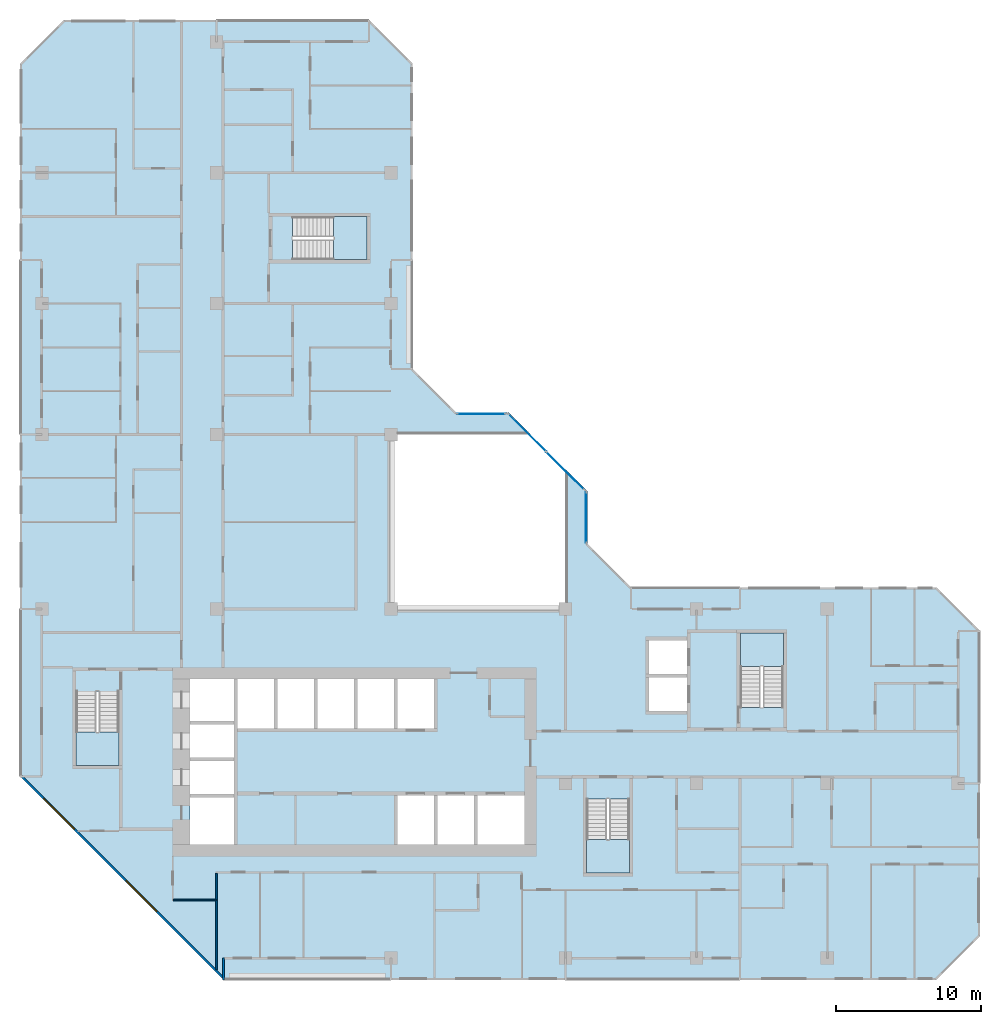
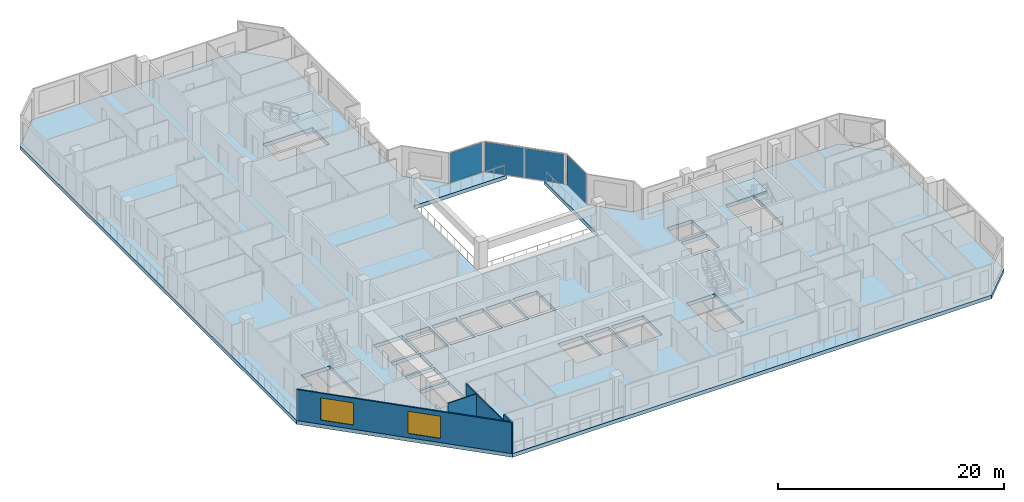
# One storey, part 3 of 14: 5 slabs, 4 plates, 4 walls, 2 windows, 2 openings, 7 elements without a shape of their own.
"""IFC4 building model written with IfcOpenShell, lengths in metres."""

from ifc_helpers import new_model, si_unit, direction, frame, frame_2d, origin, origin_2d, place, context, subcontext, project, spatial, polyline, rectangle, outline, extrude, material, layer, layer_set, type_object, element, fill, aggregate, save


model = new_model("IFC4")

# Units and contexts
model_context = context("Model", 3, precision=1e-05, world=origin(), true_north=direction((0.0, 1.0)))
body_context = subcontext(model_context, "Body", "Model", "MODEL_VIEW")
ifc_project = project(units=[si_unit("LENGTHUNIT", "METRE"), si_unit("AREAUNIT", "SQUARE_METRE"), si_unit("VOLUMEUNIT", "CUBIC_METRE"), si_unit("PLANEANGLEUNIT", "RADIAN"), si_unit("MASSUNIT", "GRAM", prefix="KILO")], contexts=[model_context])

# Site, building, storey
site_placement = place(None, origin())
site = spatial("IfcSite", under=ifc_project, at=site_placement, CompositionType="ELEMENT")
building_placement = place(site_placement, origin())
building = spatial("IfcBuilding", under=site, at=building_placement, Name="Chenar Terraces", CompositionType="ELEMENT")
storey_placement = place(building_placement, frame((0.0, 0.0, 168.64990234375)))
storey = spatial("IfcBuildingStorey", under=building, at=storey_placement, Name="L38", CompositionType="ELEMENT", Elevation=168.64990234375)

# Curtain wall, plate
ifc_material_1 = material(Name="Aluminium framed glazing", Category="aluminium")
ifc_layer_1 = layer(ifc_material_1, 0.14990234375)
ifc_layer_set_1 = layer_set([ifc_layer_1], Name="Aluminium framed glazing")
curtain_wall_type = type_object("IfcCurtainWallType", Name="Atrium mid-zone curtain wall", PredefinedType="NOTDEFINED", material=ifc_layer_set_1)
placement_1 = place(storey_placement, origin())
curtain_wall_1 = element("IfcCurtainWall", 1, at=placement_1, inside=storey, type_object=curtain_wall_type, Name="Atrium mid-zone curtain wall", PredefinedType="NOTDEFINED")
ifc_material_2 = material(Name="Low emissivity laminated glass, solar control coating", Category="glass")
ifc_layer_2 = layer(ifc_material_2, 0.031982421875)
ifc_layer_set_2 = layer_set([ifc_layer_2], Name="Low emissivity laminated glass, solar control coating")
plate_type = type_object("IfcPlateType", Name="Atrium mid-zone glazing panel 32", PredefinedType="CURTAIN_PANEL", material=ifc_layer_set_2)
plate_1_placement = place(storey_placement, frame((37.425048828125, 30.300048828125, 0.070068359375), z_axis=(0.0, 0.0, 1.0), x_axis=(0.0, 1.0, 0.0)))
plate_1 = element("IfcPlate", 2, at=plate_1_placement, type_object=plate_type, Name="CW7-1 panel 1.1", PredefinedType="CURTAIN_PANEL", context=body_context, shape_type="SweptSolid", body=[
    extrude(rectangle(XDim=3.4599609375, YDim=0.031982421875, at=origin_2d()), origin(), (0.0, 0.0, 1.0), 3.2099609375),
])
aggregate(curtain_wall_1, [plate_1])

# Curtain wall, plates
curtain_wall_2 = element("IfcCurtainWall", 3, at=placement_1, inside=storey, type_object=curtain_wall_type, Name="Atrium mid-zone curtain wall", PredefinedType="NOTDEFINED")
plate_2_placement = place(storey_placement, frame((35.978515625, 33.515380859375, 0.070068359375), z_axis=(0.0, 0.0, 1.0), x_axis=(-0.707106781187, 0.707106781187, 0.0)))
plate_2 = element("IfcPlate", 4, at=plate_2_placement, type_object=plate_type, Name="CW7-2 panel 1.1", PredefinedType="CURTAIN_PANEL", context=body_context, shape_type="SweptSolid", body=[
    extrude(rectangle(XDim=3.61328125, YDim=0.031982421875, at=origin_2d()), origin(), (0.0, 0.0, 1.0), 3.2099609375),
])
plate_3_placement = place(storey_placement, frame((33.3740234375, 36.119873046875, 0.070068359375), z_axis=(0.0, 0.0, 1.0), x_axis=(-0.707106781187, 0.707106781187, 0.0)))
plate_3 = element("IfcPlate", 5, at=plate_3_placement, type_object=plate_type, Name="CW7-2 panel 2.1", PredefinedType="CURTAIN_PANEL", context=body_context, shape_type="SweptSolid", body=[
    extrude(rectangle(XDim=3.61328125, YDim=0.031982421875, at=origin_2d()), origin(), (0.0, 0.0, 1.0), 3.2099609375),
])
aggregate(curtain_wall_2, [plate_2, plate_3])

# Curtain wall, plate
curtain_wall_3 = element("IfcCurtainWall", 6, at=placement_1, inside=storey, type_object=curtain_wall_type, Name="Atrium mid-zone curtain wall", PredefinedType="NOTDEFINED")
plate_4_placement = place(storey_placement, frame((30.199951171875, 37.425048828125, 0.070068359375), z_axis=(0.0, 0.0, 1.0), x_axis=(-1.0, 0.0, 0.0)))
plate_4 = element("IfcPlate", 7, at=plate_4_placement, type_object=plate_type, Name="CW7-3 panel 1.1", PredefinedType="CURTAIN_PANEL", context=body_context, shape_type="SweptSolid", body=[
    extrude(rectangle(XDim=3.260009765625, YDim=0.031982421875, at=origin_2d()), origin(), (0.0, 0.0, 1.0), 3.2099609375),
])
aggregate(curtain_wall_3, [plate_4])

# Stair, slab
ifc_material_3 = material(Name="Reinforced concrete C40/50", Category="concrete")
stair_type = type_object("IfcStairType", Name="Core stair 1400 half-turn", PredefinedType="HALF_TURN_STAIR", material=ifc_material_3)
stair_1 = element("IfcStair", 8, at=placement_1, inside=storey, type_object=stair_type, Name="L38 Stair 1", PredefinedType="HALF_TURN_STAIR")
ifc_material_4 = material(Name="Reinforced concrete C40/50", Category="concrete")
ifc_layer_3 = layer(ifc_material_4, 0.199951171875)
ifc_layer_set_3 = layer_set([ifc_layer_3], Name="Reinforced concrete C40/50")
slab_type_1 = type_object("IfcSlabType", Name="Core stair landing 200", PredefinedType="LANDING", material=ifc_layer_set_3)
placement_2 = place(storey_placement, frame((0.0, 0.0, 1.675048828125)))
slab_1 = element("IfcSlab", 9, at=placement_2, type_object=slab_type_1, Name="ST1 landing 1", PredefinedType="LANDING", context=body_context, shape_type="SweptSolid", body=[
    extrude(outline(polyline([(2.35009765625, 15.550048828125), (2.35009765625, 13.25), (5.300048828125, 13.25), (5.300048828125, 15.550048828125), (2.35009765625, 15.550048828125)])), origin(), (0.0, 0.0, 1.0), 0.199951171875),
])
aggregate(stair_1, [slab_1])

stair_2 = element("IfcStair", 10, at=placement_1, inside=storey, type_object=stair_type, Name="L38 Stair 2", PredefinedType="HALF_TURN_STAIR")
slab_2 = element("IfcSlab", 11, at=placement_2, type_object=slab_type_1, Name="ST2 landing 1", PredefinedType="LANDING", context=body_context, shape_type="SweptSolid", body=[
    extrude(outline(polyline([(37.449951171875, 8.14990234375), (37.449951171875, 5.85009765625), (40.39990234375, 5.85009765625), (40.39990234375, 8.14990234375), (37.449951171875, 8.14990234375)])), origin(), (0.0, 0.0, 1.0), 0.199951171875),
])
aggregate(stair_2, [slab_2])

stair_3 = element("IfcStair", 12, at=placement_1, inside=storey, type_object=stair_type, Name="L38 Stair 3", PredefinedType="HALF_TURN_STAIR")
slab_3 = element("IfcSlab", 13, at=placement_2, type_object=slab_type_1, Name="ST3 landing 1", PredefinedType="LANDING", context=body_context, shape_type="SweptSolid", body=[
    extrude(outline(polyline([(50.97509765625, 20.050048828125), (50.97509765625, 22.35009765625), (48.02490234375, 22.35009765625), (48.02490234375, 20.050048828125), (50.97509765625, 20.050048828125)])), origin(), (0.0, 0.0, 1.0), 0.199951171875),
])
aggregate(stair_3, [slab_3])

stair_4 = element("IfcStair", 14, at=placement_1, inside=storey, type_object=stair_type, Name="L38 Stair 4", PredefinedType="HALF_TURN_STAIR")
slab_4 = element("IfcSlab", 15, at=placement_2, type_object=slab_type_1, Name="ST4 landing 1", PredefinedType="LANDING", context=body_context, shape_type="SweptSolid", body=[
    extrude(outline(polyline([(20.050048828125, 48.02490234375), (22.35009765625, 48.02490234375), (22.35009765625, 50.97509765625), (20.050048828125, 50.97509765625), (20.050048828125, 48.02490234375)])), origin(), (0.0, 0.0, 1.0), 0.199951171875),
])
aggregate(stair_4, [slab_4])

# Slab
ifc_material_5 = material(Name="Concrete C40/50", Category="concrete")
ifc_layer_4 = layer(ifc_material_5, 0.39990234375)
ifc_layer_set_4 = layer_set([ifc_layer_4], Name="Concrete C40/50")
slab_type_2 = type_object("IfcSlabType", Name="Floor slab 400 Concrete C40/50", PredefinedType="FLOOR", material=ifc_layer_set_4)
slab_5_placement = place(storey_placement, frame((0.0, 0.0, -0.39990234375)))
element("IfcSlab", 16, at=slab_5_placement, inside=storey, type_object=slab_type_2, Name="Floor slab L38", PredefinedType="FLOOR", context=body_context, shape_type="SweptSolid", body=[
    extrude(outline(polyline([(64.5, 22.5), (64.5, 1.5), (61.5, -1.5), (12.5, -1.5), (-1.5, 12.5), (-1.5, 61.5), (1.5, 64.5), (22.5, 64.5), (25.5, 61.5), (25.5, 40.5), (28.5, 37.5), (32.10009765625, 37.5), (33.60009765625, 36.0), (24.0, 36.0), (24.0, 24.0), (36.0, 24.0), (36.0, 33.60009765625), (37.5, 32.10009765625), (37.5, 28.5), (40.5, 25.5), (61.5, 25.5), (64.5, 22.5)]), holes=[polyline([(13.199951171875, 11.050048828125), (10.199951171875, 11.050048828125), (10.199951171875, 7.800048828125), (13.199951171875, 7.800048828125), (13.199951171875, 11.050048828125)]), polyline([(13.199951171875, 13.550048828125), (10.199951171875, 13.550048828125), (10.199951171875, 11.300048828125), (13.199951171875, 11.300048828125), (13.199951171875, 13.550048828125)]), polyline([(13.199951171875, 16.050048828125), (10.199951171875, 16.050048828125), (10.199951171875, 13.800048828125), (13.199951171875, 13.800048828125), (13.199951171875, 16.050048828125)]), polyline([(2.35009765625, 13.25), (5.300048828125, 13.25), (5.300048828125, 18.35009765625), (2.35009765625, 18.35009765625), (2.35009765625, 13.25)]), polyline([(15.949951171875, 19.199951171875), (13.449951171875, 19.199951171875), (13.449951171875, 15.800048828125), (15.949951171875, 15.800048828125), (15.949951171875, 19.199951171875)]), polyline([(18.699951171875, 19.199951171875), (16.199951171875, 19.199951171875), (16.199951171875, 15.800048828125), (18.699951171875, 15.800048828125), (18.699951171875, 19.199951171875)]), polyline([(21.449951171875, 19.199951171875), (18.949951171875, 19.199951171875), (18.949951171875, 15.800048828125), (21.449951171875, 15.800048828125), (21.449951171875, 19.199951171875)]), polyline([(24.199951171875, 15.800048828125), (24.199951171875, 19.199951171875), (21.699951171875, 19.199951171875), (21.699951171875, 15.800048828125), (24.199951171875, 15.800048828125)]), polyline([(13.199951171875, 16.300048828125), (13.199951171875, 19.199951171875), (10.199951171875, 19.199951171875), (10.199951171875, 16.300048828125), (13.199951171875, 16.300048828125)]), polyline([(22.35009765625, 48.02490234375), (22.35009765625, 50.97509765625), (17.25, 50.97509765625), (17.25, 48.02490234375), (22.35009765625, 48.02490234375)]), polyline([(37.449951171875, 5.85009765625), (40.39990234375, 5.85009765625), (40.39990234375, 10.949951171875), (37.449951171875, 10.949951171875), (37.449951171875, 5.85009765625)]), polyline([(26.949951171875, 11.199951171875), (24.449951171875, 11.199951171875), (24.449951171875, 7.800048828125), (26.949951171875, 7.800048828125), (26.949951171875, 11.199951171875)]), polyline([(29.699951171875, 7.800048828125), (29.699951171875, 11.199951171875), (27.199951171875, 11.199951171875), (27.199951171875, 7.800048828125), (29.699951171875, 7.800048828125)]), polyline([(33.199951171875, 7.800048828125), (33.199951171875, 11.199951171875), (29.949951171875, 11.199951171875), (29.949951171875, 7.800048828125), (33.199951171875, 7.800048828125)]), polyline([(26.949951171875, 19.199951171875), (24.449951171875, 19.199951171875), (24.449951171875, 15.800048828125), (26.949951171875, 15.800048828125), (26.949951171875, 19.199951171875)]), polyline([(44.35009765625, 19.300048828125), (41.75, 19.300048828125), (41.75, 17.0), (44.35009765625, 17.0), (44.35009765625, 19.300048828125)]), polyline([(50.97509765625, 22.35009765625), (48.02490234375, 22.35009765625), (48.02490234375, 17.25), (50.97509765625, 17.25), (50.97509765625, 22.35009765625)]), polyline([(44.35009765625, 19.550048828125), (44.35009765625, 21.85009765625), (41.75, 21.85009765625), (41.75, 19.550048828125), (44.35009765625, 19.550048828125)])]), origin(), (0.0, 0.0, 1.0), 0.39990234375),
])

# Walls
ifc_material_6 = material(Name="Gypsum board on steel studs", Category="steel")
ifc_layer_5 = layer(ifc_material_6, 0.10009765625)
ifc_layer_set_5 = layer_set([ifc_layer_5], Name="Gypsum board on steel studs")
wall_type_1 = type_object("IfcWallType", Name="Gypsum partition 100", PredefinedType="PARTITIONING", material=ifc_layer_set_5)
wall_1_placement = place(storey_placement, frame((9.050048828125, 4.0, 0.0), z_axis=(0.0, 0.0, 1.0), x_axis=(1.0, 0.0, 0.0)))
element("IfcWall", 17, at=wall_1_placement, inside=storey, type_object=wall_type_1, Name="Partition L38-027", PredefinedType="PARTITIONING", context=body_context, shape_type="SweptSolid", body=[
    extrude(rectangle(XDim=2.89990234375, YDim=0.10009765625, at=frame_2d((1.449951171875, 0.0))), origin(), (0.0, 0.0, 1.0), 3.35009765625),
])
wall_2_placement = place(storey_placement, frame((12.0, -0.787841796875, 0.0), z_axis=(0.0, 0.0, 1.0), x_axis=(0.0, 1.0, 0.0)))
element("IfcWall", 18, at=wall_2_placement, inside=storey, type_object=wall_type_1, Name="Partition L38-030", PredefinedType="PARTITIONING", context=body_context, shape_type="SweptSolid", body=[
    extrude(rectangle(XDim=6.61279296875, YDim=0.10009765625, at=frame_2d((3.306396484375, 0.0))), origin(), (0.0, 0.0, 1.0), 3.35009765625),
])
ifc_material_7 = material(Name="Terracotta cladding on insulated backing", Category="masonry")
ifc_layer_6 = layer(ifc_material_7, 0.14990234375)
ifc_layer_set_6 = layer_set([ifc_layer_6], Name="Terracotta cladding on insulated backing")
wall_type_2 = type_object("IfcWallType", Name="Loggia return wall 150", PredefinedType="SOLIDWALL", material=ifc_layer_set_6)
wall_3_placement = place(storey_placement, frame((12.5, -1.5, 0.0), z_axis=(0.0, 0.0, 1.0), x_axis=(0.0, 1.0, 0.0)))
element("IfcWall", 19, at=wall_3_placement, inside=storey, type_object=wall_type_2, Name="Loggia return wall", PredefinedType="SOLIDWALL", context=body_context, shape_type="SweptSolid", body=[
    extrude(rectangle(XDim=1.5, YDim=0.14990234375, at=frame_2d((0.75, 0.0))), origin(), (0.0, 0.0, 1.0), 3.35009765625),
])

# Wall, openings, windows
ifc_material_8 = material(Name="Terracotta cladding on insulated backing", Category="masonry")
ifc_layer_7 = layer(ifc_material_8, 0.14990234375)
ifc_layer_set_7 = layer_set([ifc_layer_7], Name="Terracotta cladding on insulated backing")
wall_type_3 = type_object("IfcWallType", Name="Terracotta rainscreen wall 150", PredefinedType="SOLIDWALL", material=ifc_layer_set_7)
wall_4_placement = place(storey_placement, frame((-1.447021484375, 12.552978515625, 0.0), z_axis=(0.0, 0.0, 1.0), x_axis=(0.707106781187, -0.707106781187, 0.0)))
wall_4 = element("IfcWall", 20, at=wall_4_placement, inside=storey, type_object=wall_type_3, Name="Terracotta rainscreen wall", PredefinedType="SOLIDWALL", context=body_context, shape_type="SweptSolid", body=[
    extrude(rectangle(XDim=19.799072265625, YDim=0.14990234375, at=frame_2d((9.8994140625, 0.0))), origin(), (0.0, 0.0, 1.0), 3.35009765625),
])
opening_1_placement = place(wall_4_placement, frame((2.21240234375, 0.0, 0.449951171875)))
opening_1 = element("IfcOpeningElement", 21, at=opening_1_placement, cuts=wall_4, Name="Opening W300x240", PredefinedType="OPENING", context=body_context, shape_type="SweptSolid", body=[
    extrude(rectangle(XDim=3.0, YDim=2.39990234375, at=frame_2d((1.5, 1.199951171875))), frame((0.0, 0.0849609375, 0.0), z_axis=(0.0, -1.0, 0.0), x_axis=(1.0, 0.0, 0.0)), (0.0, 0.0, 1.0), 0.169921875),
])
opening_2_placement = place(wall_4_placement, frame((10.215576171875, 0.0, 0.449951171875)))
opening_2 = element("IfcOpeningElement", 22, at=opening_2_placement, cuts=wall_4, Name="Opening W300x240", PredefinedType="OPENING", context=body_context, shape_type="SweptSolid", body=[
    extrude(rectangle(XDim=3.0, YDim=2.39990234375, at=frame_2d((1.5, 1.199951171875))), frame((0.0, 0.0849609375, 0.0), z_axis=(0.0, -1.0, 0.0), x_axis=(1.0, 0.0, 0.0)), (0.0, 0.0, 1.0), 0.169921875),
])
ifc_material_9 = material(Name="Low emissivity double glazing, aluminium frame", Category="aluminium")
window_type = type_object("IfcWindowType", Name="Fixed light 3000 x 2400", PartitioningType="SINGLE_PANEL", PredefinedType="WINDOW", material=ifc_material_9)
window_1_placement = place(opening_1_placement, origin())
window_1 = element("IfcWindow", 23, at=window_1_placement, inside=storey, type_object=window_type, Name="Window", OverallHeight=2.39990234375, OverallWidth=3.0, PartitioningType="SINGLE_PANEL", PredefinedType="WINDOW", context=body_context, shape_type="SweptSolid", body=[
    extrude(rectangle(XDim=3.0, YDim=2.39990234375, at=frame_2d((1.5, 1.199951171875))), frame((0.0, 0.030029296875, 0.0), z_axis=(0.0, -1.0, 0.0), x_axis=(1.0, 0.0, 0.0)), (0.0, 0.0, 1.0), 0.06005859375),
])
fill(opening_1, window_1)
window_2_placement = place(opening_2_placement, origin())
window_2 = element("IfcWindow", 24, at=window_2_placement, inside=storey, type_object=window_type, Name="Window", OverallHeight=2.39990234375, OverallWidth=3.0, PartitioningType="SINGLE_PANEL", PredefinedType="WINDOW", context=body_context, shape_type="SweptSolid", body=[
    extrude(rectangle(XDim=3.0, YDim=2.39990234375, at=frame_2d((1.5, 1.199951171875))), frame((0.0, 0.030029296875, 0.0), z_axis=(0.0, -1.0, 0.0), x_axis=(1.0, 0.0, 0.0)), (0.0, 0.0, 1.0), 0.06005859375),
])
fill(opening_2, window_2)

save(model, "model.ifc")
